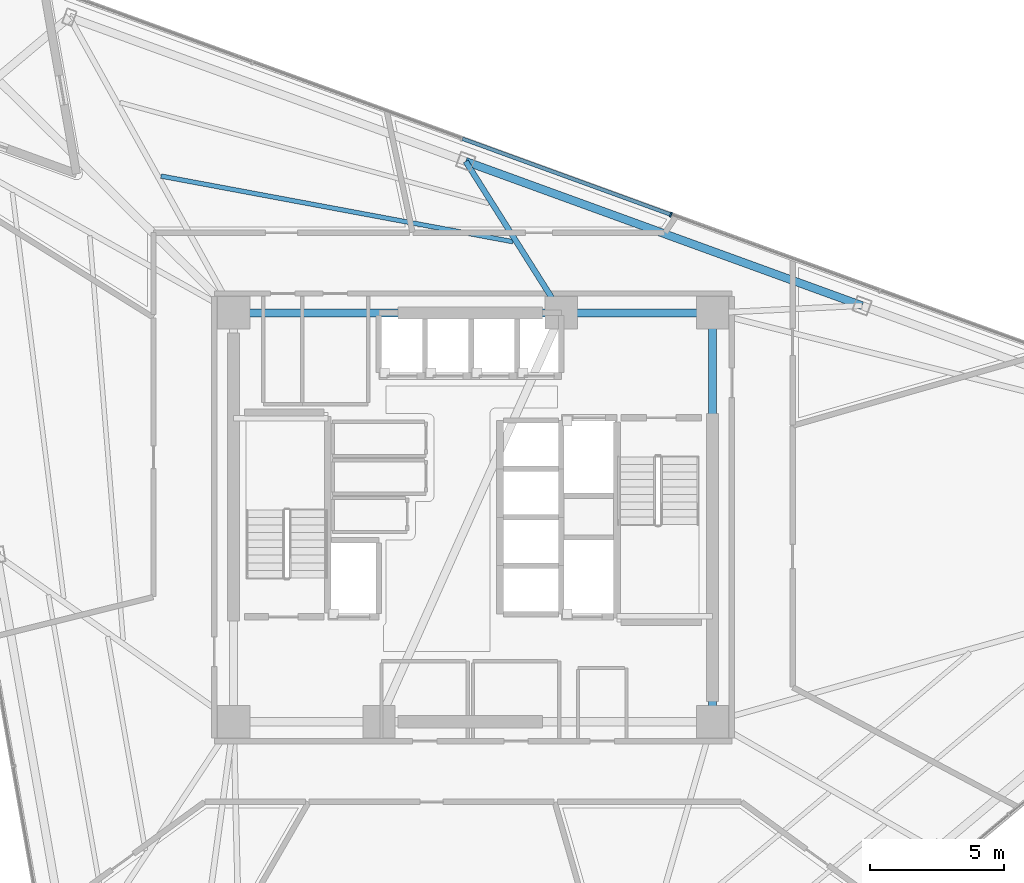
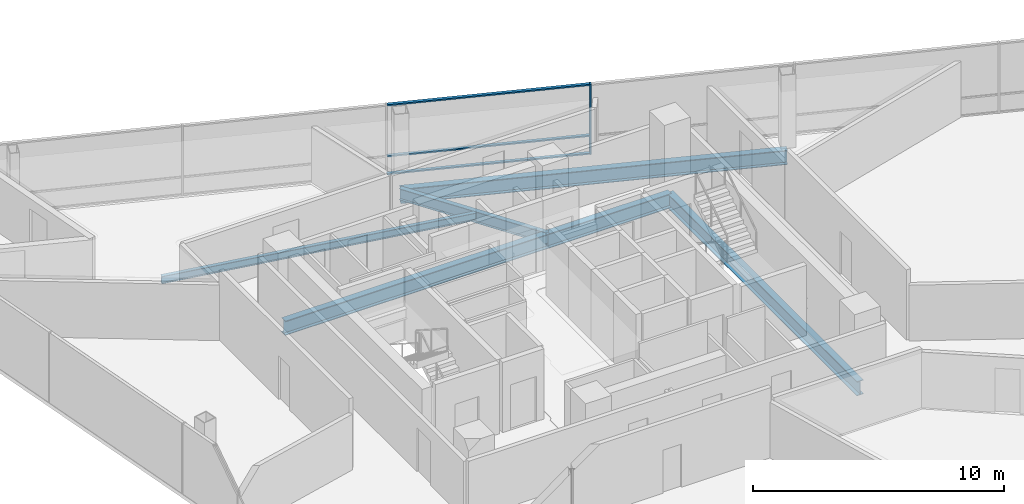
# One storey, part 6 of 15: 6 beams, 4 members, 1 element without a shape of its own.
"""IFC4 building model written with IfcOpenShell, lengths in metres."""

import ifcopenshell
import ifcopenshell.guid

model = None  # the IFC model being written
_history = None  # IfcOwnerHistory: only IFC2X3 demands one
_inside = {}  # id of a spatial element -> (the spatial element, [elements in it])
_under = {}  # id of a project, library or spatial element -> (it, [spatial elements below it])
_declared = {}  # id of a project -> (the project, [libraries it declares])
_typed = {}  # id of a type object -> (the type object, [elements of that type])
_made_of = {}  # id of a material, layer set ... -> (it, [elements and type objects made of it])


def new_model(schema):
    """Start an empty IFC model of exactly this schema.

    Asked for "IFC4X3", IfcOpenShell would pick the latest addendum, in which some entities
    have other attributes; the version numbers below select the first issue.
    IFC2X3 requires an IfcOwnerHistory on every rooted entity: one is made here for all.
    """
    global model, _history
    if schema == "IFC4X3":
        model = ifcopenshell.file(schema_version=(4, 3, 0, 0))
    else:
        model = ifcopenshell.file(schema=schema)
    _inside.clear()
    _under.clear()
    _declared.clear()
    _typed.clear()
    _made_of.clear()
    _history = None
    if model.schema == "IFC2X3":
        org = make("IfcOrganization", Name="unknown")
        user = make(
            "IfcPersonAndOrganization",
            ThePerson=make("IfcPerson", FamilyName="unknown"),
            TheOrganization=org,
        )
        app = make(
            "IfcApplication",
            ApplicationDeveloper=org,
            Version="unknown",
            ApplicationFullName="unknown",
            ApplicationIdentifier="unknown",
        )
        _history = make(
            "IfcOwnerHistory",
            OwningUser=user,
            OwningApplication=app,
            ChangeAction="ADDED",
            CreationDate=0,
        )
    return model


def make(cls, **values):
    """One entity of the class cls with the attributes given. An attribute that is None is left unset."""
    return model.create_entity(
        cls, **{name: value for name, value in values.items() if value is not None}
    )


def rooted(cls, **values):
    """An entity with a GlobalId (a new one), such as an element, a storey or a relation."""
    return make(cls, GlobalId=ifcopenshell.guid.new(), OwnerHistory=_history, **values)


def si_unit(unit_type, name, prefix=None):
    """IfcSIUnit, for example si_unit("LENGTHUNIT", "METRE", prefix="MILLI")."""
    return make("IfcSIUnit", UnitType=unit_type, Prefix=prefix, Name=name)


def assignment(units):
    """IfcUnitAssignment: the units of a project."""
    return None if units is None else make("IfcUnitAssignment", Units=units)


def point(xyz):
    """IfcCartesianPoint."""
    return None if xyz is None else make("IfcCartesianPoint", Coordinates=xyz)


def direction(xyz):
    """IfcDirection."""
    return None if xyz is None else make("IfcDirection", DirectionRatios=xyz)


def frame(location, z_axis=None, x_axis=None):
    """IfcAxis2Placement3D, a coordinate frame: its origin and axes. An axis left out is left unset."""
    return make(
        "IfcAxis2Placement3D",
        Location=point(location),
        Axis=direction(z_axis),
        RefDirection=direction(x_axis),
    )


def frame_2d(location, x_axis=None):
    """IfcAxis2Placement2D, a coordinate frame in the plane: its origin and x axis."""
    return make(
        "IfcAxis2Placement2D", Location=point(location), RefDirection=direction(x_axis)
    )


def origin():
    """The frame at (0, 0, 0) with its axes left unset."""
    return frame((0.0, 0.0, 0.0))


def origin_2d():
    """The frame at (0, 0) in the plane with its x axis left unset."""
    return frame_2d((0.0, 0.0))


def place(relative_to, where):
    """IfcLocalPlacement: puts the frame where relative to a parent placement (None: the world)."""
    return make(
        "IfcLocalPlacement", PlacementRelTo=relative_to, RelativePlacement=where
    )


def context(
    kind, dimensions, precision=None, world=None, true_north=None, identifier=None
):
    """IfcGeometricRepresentationContext, for example the 3D "Model" context."""
    return make(
        "IfcGeometricRepresentationContext",
        ContextIdentifier=identifier,
        ContextType=kind,
        CoordinateSpaceDimension=dimensions,
        Precision=precision,
        WorldCoordinateSystem=world,
        TrueNorth=true_north,
    )


def subcontext(parent, identifier, kind, view, scale=None):
    """IfcGeometricRepresentationSubContext, for example "Body" below "Model"."""
    return make(
        "IfcGeometricRepresentationSubContext",
        ContextIdentifier=identifier,
        ContextType=kind,
        ParentContext=parent,
        TargetScale=scale,
        TargetView=view,
    )


def project(units=None, contexts=None):
    """IfcProject with its units and contexts."""
    return rooted(
        "IfcProject",
        Name="project",
        RepresentationContexts=contexts,
        UnitsInContext=assignment(units),
    )


def spatial(cls, under=None, at=None, **own):
    """A site, building, storey or space (cls), placed at a placement, below another one or the project."""
    s = rooted(cls, ObjectPlacement=at, **own)
    if under is not None:
        _under.setdefault(under.id(), (under, []))[1].append(s)
    return s


def profile(cls, at=None, kind="AREA", **sizes):
    """A parametric profile (cls). Its sizes go by their IFC names, for example OverallWidth=200.0."""
    return make(cls, ProfileType=kind, Position=at, **sizes)


def rectangle(**sizes):
    """IfcRectangleProfileDef."""
    return profile("IfcRectangleProfileDef", **sizes)


def i_section(**sizes):
    """IfcIShapeProfileDef."""
    return profile("IfcIShapeProfileDef", **sizes)


def extrude(swept, where, along, depth):
    """IfcExtrudedAreaSolid: the profile swept, set in the frame where, extruded along a direction by depth."""
    return make(
        "IfcExtrudedAreaSolid",
        SweptArea=swept,
        Position=where,
        ExtrudedDirection=direction(along),
        Depth=depth,
    )


def shape(context_of_items, identifier, shape_type, items):
    """IfcShapeRepresentation: the items that make up one representation, for example the "Body"."""
    return make(
        "IfcShapeRepresentation",
        ContextOfItems=context_of_items,
        RepresentationIdentifier=identifier,
        RepresentationType=shape_type,
        Items=items,
    )


def material(Name=None, Category=None):
    """IfcMaterial."""
    return make("IfcMaterial", Name=Name, Category=Category)


def layer(
    of_material, thickness, ventilated=None, Name=None, Category=None, Priority=None
):
    """IfcMaterialLayer: one layer of a wall or slab, of a material (None: an air gap)."""
    return make(
        "IfcMaterialLayer",
        Material=of_material,
        LayerThickness=thickness,
        IsVentilated=ventilated,
        Name=Name,
        Category=Category,
        Priority=Priority,
    )


def layer_set(layers, Name=None):
    """IfcMaterialLayerSet."""
    return make("IfcMaterialLayerSet", MaterialLayers=layers, LayerSetName=Name)


def material_profile(
    of_material, cross_section, Name=None, Category=None, Priority=None
):
    """IfcMaterialProfile: a cross section and its material."""
    return make(
        "IfcMaterialProfile",
        Name=Name,
        Material=of_material,
        Profile=cross_section,
        Priority=Priority,
        Category=Category,
    )


def profile_set(profiles, Name=None, composite=None):
    """IfcMaterialProfileSet."""
    return make(
        "IfcMaterialProfileSet",
        Name=Name,
        MaterialProfiles=profiles,
        CompositeProfile=composite,
    )


def made_of(thing, what):
    """Note that an element or type object is made of a material, layer set ...; save() writes the relation."""
    if what is not None:
        _made_of.setdefault(what.id(), (what, []))[1].append(thing)
    return thing


def type_object(cls, material=None, **own):
    """A type object (cls), such as IfcWallType, which elements share."""
    return made_of(rooted(cls, **own), material)


def element(
    cls,
    number,
    at=None,
    inside=None,
    cuts=None,
    type_object=None,
    material=None,
    context=None,
    identifier="Body",
    shape_type=None,
    held_by="IfcProductDefinitionShape",
    body=None,
    shapes=None,
    **own,
):
    """One element of the class cls, such as IfcWall. Its Tag is "e" and its number.

    at: its placement. inside: the storey or other place that contains it. cuts: it is an
    opening in that element (IfcRelVoidsElement). A single representation is given by context,
    identifier, shape_type and body (its items); several are given by shapes. held_by: the class
    of the entity that holds the representations. save() writes the other relations.
    """
    e = rooted(cls, Tag="e%d" % number, ObjectPlacement=at, **own)
    if body is not None:
        shapes = [shape(context, identifier, shape_type, body)]
    if shapes is not None:
        e.Representation = make(held_by, Representations=shapes)
    if inside is not None:
        _inside.setdefault(inside.id(), (inside, []))[1].append(e)
    if cuts is not None:
        rooted(
            "IfcRelVoidsElement", RelatingBuildingElement=cuts, RelatedOpeningElement=e
        )
    if type_object is not None:
        _typed.setdefault(type_object.id(), (type_object, []))[1].append(e)
    return made_of(e, material)


def aggregate(whole, parts):
    """IfcRelAggregates: a whole, such as a stair, and the parts it consists of."""
    return rooted("IfcRelAggregates", RelatingObject=whole, RelatedObjects=parts)


def save(model, path):
    """Write the relations noted so far, then the file.

    IfcRelAggregates (storeys below a building ...), IfcRelContainedInSpatialStructure (elements
    in a storey), IfcRelDefinesByType, IfcRelAssociatesMaterial and IfcRelDeclares: one each for
    every whole, place, type object, material and project.
    """
    for whole, parts in _under.values():
        aggregate(whole, parts)
    for where, things in _inside.values():
        rooted(
            "IfcRelContainedInSpatialStructure",
            RelatedElements=things,
            RelatingStructure=where,
        )
    for kind, things in _typed.values():
        rooted("IfcRelDefinesByType", RelatedObjects=things, RelatingType=kind)
    for what, things in _made_of.values():
        rooted("IfcRelAssociatesMaterial", RelatedObjects=things, RelatingMaterial=what)
    for by, libraries in _declared.values():
        rooted("IfcRelDeclares", RelatingContext=by, RelatedDefinitions=libraries)
    model.write(path)


model = new_model("IFC4")

# Units and contexts
model_context = context("Model", 3, precision=1e-05, world=origin(), true_north=direction((0.0, 1.0)))
body_context = subcontext(model_context, "Body", "Model", "MODEL_VIEW")
ifc_project = project(units=[si_unit("LENGTHUNIT", "METRE"), si_unit("AREAUNIT", "SQUARE_METRE"), si_unit("VOLUMEUNIT", "CUBIC_METRE"), si_unit("PLANEANGLEUNIT", "RADIAN"), si_unit("MASSUNIT", "GRAM", prefix="KILO")], contexts=[model_context])

# Site, building, storey
site_placement = place(None, origin())
site = spatial("IfcSite", under=ifc_project, at=site_placement, CompositionType="ELEMENT")
building_placement = place(site_placement, origin())
building = spatial("IfcBuilding", under=site, at=building_placement, Name="Tharavind Bronze Gate", CompositionType="ELEMENT")
storey_placement = place(building_placement, frame((0.0, 0.0, 174.10009765625)))
storey = spatial("IfcBuildingStorey", under=building, at=storey_placement, Name="L44", CompositionType="ELEMENT", Elevation=174.10009765625)

# Curtain wall, members
ifc_material_1 = material(Name="Anodised Bronze Aluminium", Category="aluminium")
ifc_layer = layer(ifc_material_1, 0.219970703125)
ifc_layer_set = layer_set([ifc_layer], Name="Anodised Bronze Aluminium")
curtain_wall_type = type_object("IfcCurtainWallType", Name="UNITISED CURTAIN WALL MID OFFICE", PredefinedType="USERDEFINED", material=ifc_layer_set)
curtain_wall_placement = place(storey_placement, origin())
curtain_wall = element("IfcCurtainWall", 1, at=curtain_wall_placement, inside=storey, type_object=curtain_wall_type, Name="L44 unitised curtain wall mid office CW-L44-S3", ObjectType="UNITISED CURTAIN WALL", PredefinedType="USERDEFINED")
member_type_1 = type_object("IfcMemberType", Name="CURTAIN WALL BRONZE MULLION 65X180", PredefinedType="MULLION", material=ifc_material_1)
member_1_placement = place(storey_placement, frame((7.35009765625, 11.25439453125, 0.0), z_axis=(0.0, 0.0, 1.0), x_axis=(-0.939692023847, 0.342021783398, 0.0)))
member_1 = element("IfcMember", 2, at=member_1_placement, type_object=member_type_1, Name="CW-L44-S3 mullion 4", PredefinedType="MULLION", context=body_context, shape_type="SweptSolid", body=[
    extrude(rectangle(XDim=0.06494140625, YDim=0.179931640625, at=origin_2d()), origin(), (0.0, 0.0, 1.0), 3.419921875),
])
member_type_2 = type_object("IfcMemberType", Name="CURTAIN WALL BRONZE TRANSOM 65X140", PredefinedType="USERDEFINED", material=ifc_material_1)
member_2_placement = place(storey_placement, frame((3.462890625, 12.669189453125, 0.0), z_axis=(0.0, 0.0, 1.0), x_axis=(-0.939692023847, 0.342021783398, 0.0)))
member_2 = element("IfcMember", 3, at=member_2_placement, type_object=member_type_2, Name="CW-L44-S3 transom TB4", ObjectType="TRANSOM", PredefinedType="USERDEFINED", context=body_context, shape_type="SweptSolid", body=[
    extrude(rectangle(XDim=8.220458984375, YDim=0.139892578125, at=origin_2d()), origin(), (0.0, 0.0, 1.0), 0.06494140625),
])
member_3_placement = place(storey_placement, frame((3.462890625, 12.669189453125, 0.867431640625), z_axis=(0.0, 0.0, 1.0), x_axis=(-0.939692023847, 0.342021783398, 0.0)))
member_3 = element("IfcMember", 4, at=member_3_placement, type_object=member_type_2, Name="CW-L44-S3 transom TS4", ObjectType="TRANSOM", PredefinedType="USERDEFINED", context=body_context, shape_type="SweptSolid", body=[
    extrude(rectangle(XDim=8.220458984375, YDim=0.139892578125, at=origin_2d()), origin(), (0.0, 0.0, 1.0), 0.06494140625),
])
member_4_placement = place(storey_placement, frame((3.462890625, 12.669189453125, 3.35498046875), z_axis=(0.0, 0.0, 1.0), x_axis=(-0.939692023847, 0.342021783398, 0.0)))
member_4 = element("IfcMember", 5, at=member_4_placement, type_object=member_type_2, Name="CW-L44-S3 transom TT4", ObjectType="TRANSOM", PredefinedType="USERDEFINED", context=body_context, shape_type="SweptSolid", body=[
    extrude(rectangle(XDim=8.220458984375, YDim=0.139892578125, at=origin_2d()), origin(), (0.0, 0.0, 1.0), 0.06494140625),
])
aggregate(curtain_wall, [member_1, member_2, member_3, member_4])

# Beams
ifc_material_2 = material(Name="Steel S355", Category="steel")
ifc_material_profile_1 = material_profile(ifc_material_2, i_section(OverallWidth=0.2099609375, OverallDepth=0.550048828125, WebThickness=0.010986328125, FlangeThickness=0.01708984375, at=origin_2d()), Name="IPE550")
ifc_profile_set_1 = profile_set([ifc_material_profile_1], Name="Steel S355")
beam_type_1 = type_object("IfcBeamType", Name="PRIMARY GIRDER IPE550", PredefinedType="USERDEFINED", material=ifc_profile_set_1)
beam_1_placement = place(storey_placement, frame((-0.27392578125, 13.231201171875, -0.455078125), z_axis=(0.53372121288, -0.845660491522, 0.0), x_axis=(0.845660491522, 0.53372121288, 0.0)))
element("IfcBeam", 6, at=beam_1_placement, inside=storey, type_object=beam_type_1, Name="L44 primary girder ipe550 BM-L44-RAD11", ObjectType="GIRDER", PredefinedType="USERDEFINED", context=body_context, shape_type="SweptSolid", body=[
    extrude(i_section(OverallWidth=0.2099609375, OverallDepth=0.550048828125, WebThickness=0.010986328125, FlangeThickness=0.01708984375, at=origin_2d()), origin(), (0.0, 0.0, 1.0), 6.658935546875),
])
ifc_material_profile_2 = material_profile(ifc_material_2, i_section(OverallWidth=0.300048828125, OverallDepth=0.699951171875, WebThickness=0.01708984375, FlangeThickness=0.031982421875, at=origin_2d()), Name="HE700B")
ifc_profile_set_2 = profile_set([ifc_material_profile_2], Name="Steel S355")
beam_type_2 = type_object("IfcBeamType", Name="RING GIRDER HE700B", PredefinedType="USERDEFINED", material=ifc_profile_set_2)
beam_2_placement = place(storey_placement, frame((8.89990234375, -7.60009765625, -0.530029296875), z_axis=(0.0, 1.0, 0.0), x_axis=(-1.0, 0.0, 0.0)))
element("IfcBeam", 7, at=beam_2_placement, inside=storey, type_object=beam_type_2, Name="L44 ring girder he700b BM-L44-CR3", ObjectType="GIRDER", PredefinedType="USERDEFINED", context=body_context, shape_type="SweptSolid", body=[
    extrude(i_section(OverallWidth=0.300048828125, OverallDepth=0.699951171875, WebThickness=0.01708984375, FlangeThickness=0.031982421875, at=origin_2d()), origin(), (0.0, 0.0, 1.0), 15.2001953125),
])
beam_3_placement = place(storey_placement, frame((8.89990234375, 7.60009765625, -0.530029296875), z_axis=(-1.0, 0.0, 0.0), x_axis=(0.0, -1.0, 0.0)))
element("IfcBeam", 8, at=beam_3_placement, inside=storey, type_object=beam_type_2, Name="L44 ring girder he700b BM-L44-CR4", ObjectType="GIRDER", PredefinedType="USERDEFINED", context=body_context, shape_type="SweptSolid", body=[
    extrude(i_section(OverallWidth=0.300048828125, OverallDepth=0.699951171875, WebThickness=0.01708984375, FlangeThickness=0.031982421875, at=origin_2d()), origin(), (0.0, 0.0, 1.0), 5.619873046875),
])
beam_4_placement = place(storey_placement, frame((3.280029296875, 7.60009765625, -0.530029296875), z_axis=(-1.0, 0.0, 0.0), x_axis=(0.0, -1.0, 0.0)))
element("IfcBeam", 9, at=beam_4_placement, inside=storey, type_object=beam_type_2, Name="L44 ring girder he700b BM-L44-CR5", ObjectType="GIRDER", PredefinedType="USERDEFINED", context=body_context, shape_type="SweptSolid", body=[
    extrude(i_section(OverallWidth=0.300048828125, OverallDepth=0.699951171875, WebThickness=0.01708984375, FlangeThickness=0.031982421875, at=origin_2d()), origin(), (0.0, 0.0, 1.0), 12.179931640625),
])
beam_5_placement = place(storey_placement, frame((14.461181640625, 7.867919921875, -0.530029296875), z_axis=(-0.939689735949, 0.342028069246, 0.0), x_axis=(-0.342028069246, -0.939689735949, 0.0)))
element("IfcBeam", 10, at=beam_5_placement, inside=storey, type_object=beam_type_2, Name="L44 ring girder he700b BM-L44-PRG10", ObjectType="GIRDER", PredefinedType="USERDEFINED", context=body_context, shape_type="SweptSolid", body=[
    extrude(i_section(OverallWidth=0.300048828125, OverallDepth=0.699951171875, WebThickness=0.01708984375, FlangeThickness=0.031982421875, at=origin_2d()), origin(), (0.0, 0.0, 1.0), 15.680908203125),
])
ifc_material_profile_3 = material_profile(ifc_material_2, i_section(OverallWidth=0.169921875, OverallDepth=0.360107421875, WebThickness=0.008056640625, FlangeThickness=0.0126953125, at=origin_2d()), Name="IPE360")
ifc_profile_set_3 = profile_set([ifc_material_profile_3], Name="Steel S355")
beam_type_3 = type_object("IfcBeamType", Name="SECONDARY FLOOR JOIST IPE360", PredefinedType="JOIST", material=ifc_profile_set_3)
beam_6_placement = place(storey_placement, frame((1.48291015625, 10.245361328125, -0.360107421875), z_axis=(-0.98304057782, 0.183388173989, 0.0), x_axis=(-0.183388173989, -0.98304057782, 0.0)))
element("IfcBeam", 11, at=beam_6_placement, inside=storey, type_object=beam_type_3, Name="L44 secondary floor joist ipe360 BM-L44-JSTA11", PredefinedType="JOIST", context=body_context, shape_type="SweptSolid", body=[
    extrude(i_section(OverallWidth=0.169921875, OverallDepth=0.360107421875, WebThickness=0.008056640625, FlangeThickness=0.0126953125, at=origin_2d()), origin(), (0.0, 0.0, 1.0), 13.3115234375),
])

save(model, "model.ifc")
